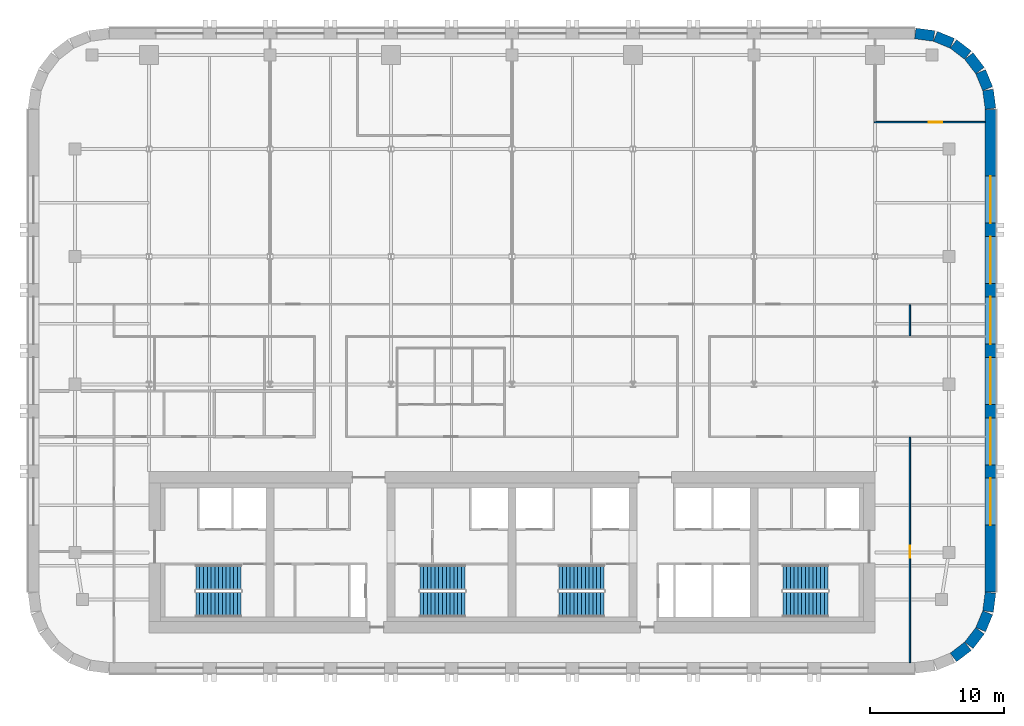
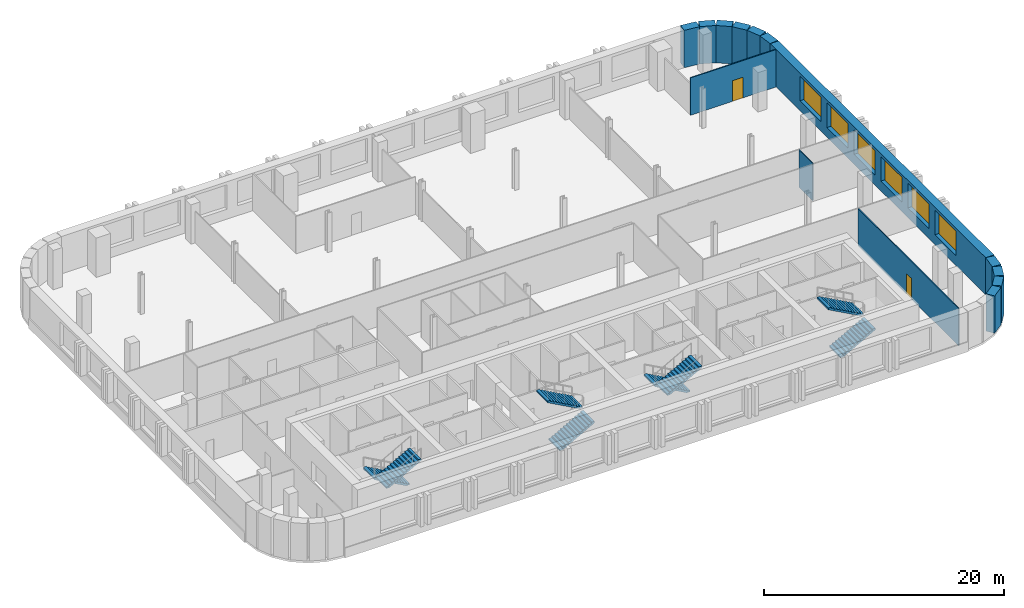
# One storey, part 8 of 10: 14 walls, 8 stair flights, 6 windows, 2 doors, 8 openings, 4 elements without a shape of their own.
"""IFC4 building model written with IfcOpenShell, lengths in metres."""

from ifc_helpers import new_model, si_unit, direction, frame, frame_2d, origin, place, context, subcontext, project, spatial, polyline, rectangle, outline, extrude, material, layer, layer_set, type_object, element, fill, aggregate, save


model = new_model("IFC4")

# Units and contexts
model_context = context("Model", 3, precision=1e-05, world=origin(), true_north=direction((0.0, 1.0)))
body_context = subcontext(model_context, "Body", "Model", "MODEL_VIEW")
ifc_project = project(units=[si_unit("LENGTHUNIT", "METRE"), si_unit("AREAUNIT", "SQUARE_METRE"), si_unit("VOLUMEUNIT", "CUBIC_METRE"), si_unit("PLANEANGLEUNIT", "RADIAN"), si_unit("MASSUNIT", "GRAM", prefix="KILO")], contexts=[model_context])

# Site, building, storey
site_placement = place(None, origin())
site = spatial("IfcSite", under=ifc_project, at=site_placement, CompositionType="ELEMENT")
building_placement = place(site_placement, origin())
building = spatial("IfcBuilding", under=site, at=building_placement, Name="Zellij Exchange Tower", CompositionType="ELEMENT")
storey_placement = place(building_placement, frame((0.0, 0.0, 192.5)))
storey = spatial("IfcBuildingStorey", under=building, at=storey_placement, Name="L44", CompositionType="ELEMENT", Elevation=192.5)

# Walls
ifc_material_1 = material(Name="Precast concrete C40/50", Category="concrete")
ifc_layer_1 = layer(ifc_material_1, 0.800048828125)
ifc_layer_set_1 = layer_set([ifc_layer_1], Name="Precast concrete C40/50")
wall_type_1 = type_object("IfcWallType", Name="ENV-EW1 Precast stone-piered wall 800", PredefinedType="SOLIDWALL", material=ifc_layer_set_1)
for number, where, z_axis, x_axis, name in (
    (1, (32.840087890625, -15.814697265625, 0.0), (0.0, 0.0, 1.0), (0.793272915452, 0.608866226366, 0.0), "fac.L44.03"),
    (2, (33.9892578125, -14.91552734375, 0.0), (0.0, 0.0, 1.0), (0.608866226366, 0.793272915452, 0.0), "fac.L44.04"),
):
    element("IfcWall", number, at=place(storey_placement, frame(where, z_axis=z_axis, x_axis=x_axis)), inside=storey, type_object=wall_type_1, Name=name, PredefinedType="SOLIDWALL", context=body_context, shape_type="SweptSolid", body=[
        extrude(rectangle(XDim=1.355712890625, YDim=0.800048828125, at=frame_2d((0.677734375, 0.0))), origin(), (0.0, 0.0, 1.0), 3.800048828125),
    ])
wall_1_placement = place(storey_placement, frame((34.866943359375, -13.74951171875, 0.0), z_axis=(0.0, 0.0, 1.0), x_axis=(0.38276009378, 0.923847774587, 0.0)))
element("IfcWall", 3, at=wall_1_placement, inside=storey, type_object=wall_type_1, Name="fac.L44.05", PredefinedType="SOLIDWALL", context=body_context, shape_type="SweptSolid", body=[
    extrude(rectangle(XDim=1.35546875, YDim=0.800048828125, at=frame_2d((0.677734375, 0.0))), origin(), (0.0, 0.0, 1.0), 3.800048828125),
])
wall_2_placement = place(storey_placement, frame((35.412841796875, -12.396240234375, 0.0), z_axis=(0.0, 0.0, 1.0), x_axis=(0.130517283865, 0.99144603414, 0.0)))
element("IfcWall", 4, at=wall_2_placement, inside=storey, type_object=wall_type_1, Name="fac.L44.06", PredefinedType="SOLIDWALL", context=body_context, shape_type="SweptSolid", body=[
    extrude(rectangle(XDim=1.408447265625, YDim=0.800048828125, at=frame_2d((0.7041015625, 0.0))), origin(), (0.0, 0.0, 1.0), 3.800048828125),
])

# Wall, openings, windows
wall_3_placement = place(storey_placement, frame((35.60009765625, -10.947509765625, 0.0), z_axis=(0.0, 0.0, 1.0), x_axis=(0.0, 1.0, 0.0)))
wall_3 = element("IfcWall", 5, at=wall_3_placement, inside=storey, type_object=wall_type_1, Name="fac.L44.07", PredefinedType="SOLIDWALL", context=body_context, shape_type="SweptSolid", body=[
    extrude(rectangle(XDim=35.89501953125, YDim=0.800048828125, at=frame_2d((17.947509765625, 0.0))), origin(), (0.0, 0.0, 1.0), 3.800048828125),
])
opening_1_placement = place(wall_3_placement, frame((4.9638671875, 0.0, 1.0)))
opening_1 = element("IfcOpeningElement", 6, at=opening_1_placement, cuts=wall_3, Name="Opening FZ3.13", PredefinedType="OPENING", context=body_context, shape_type="SweptSolid", body=[
    extrude(rectangle(XDim=3.5, YDim=2.5, at=frame_2d((1.75, 1.25))), frame((0.0, 0.412109375, 0.0), z_axis=(0.0, -1.0, 0.0), x_axis=(1.0, 0.0, 0.0)), (0.0, 0.0, 1.0), 0.823974609375),
])
opening_2_placement = place(wall_3_placement, frame((9.45751953125, 0.0, 1.0)))
opening_2 = element("IfcOpeningElement", 7, at=opening_2_placement, cuts=wall_3, Name="Opening FZ3.14", PredefinedType="OPENING", context=body_context, shape_type="SweptSolid", body=[
    extrude(rectangle(XDim=3.5, YDim=2.5, at=frame_2d((1.75, 1.25))), frame((0.0, 0.412109375, 0.0), z_axis=(0.0, -1.0, 0.0), x_axis=(1.0, 0.0, 0.0)), (0.0, 0.0, 1.0), 0.823974609375),
])
opening_3_placement = place(wall_3_placement, frame((13.950927734375, 0.0, 1.0)))
opening_3 = element("IfcOpeningElement", 8, at=opening_3_placement, cuts=wall_3, Name="Opening FZ3.15", PredefinedType="OPENING", context=body_context, shape_type="SweptSolid", body=[
    extrude(rectangle(XDim=3.5, YDim=2.5, at=frame_2d((1.75, 1.25))), frame((0.0, 0.412109375, 0.0), z_axis=(0.0, -1.0, 0.0), x_axis=(1.0, 0.0, 0.0)), (0.0, 0.0, 1.0), 0.823974609375),
])
opening_4_placement = place(wall_3_placement, frame((18.4443359375, 0.0, 1.0)))
opening_4 = element("IfcOpeningElement", 9, at=opening_4_placement, cuts=wall_3, Name="Opening FZ3.16", PredefinedType="OPENING", context=body_context, shape_type="SweptSolid", body=[
    extrude(rectangle(XDim=3.5, YDim=2.5, at=frame_2d((1.75, 1.25))), frame((0.0, 0.412109375, 0.0), z_axis=(0.0, -1.0, 0.0), x_axis=(1.0, 0.0, 0.0)), (0.0, 0.0, 1.0), 0.823974609375),
])
opening_5_placement = place(wall_3_placement, frame((22.937744140625, 0.0, 1.0)))
opening_5 = element("IfcOpeningElement", 10, at=opening_5_placement, cuts=wall_3, Name="Opening FZ3.17", PredefinedType="OPENING", context=body_context, shape_type="SweptSolid", body=[
    extrude(rectangle(XDim=3.5, YDim=2.5, at=frame_2d((1.75, 1.25))), frame((0.0, 0.412109375, 0.0), z_axis=(0.0, -1.0, 0.0), x_axis=(1.0, 0.0, 0.0)), (0.0, 0.0, 1.0), 0.823974609375),
])
opening_6_placement = place(wall_3_placement, frame((27.43115234375, 0.0, 1.0)))
opening_6 = element("IfcOpeningElement", 11, at=opening_6_placement, cuts=wall_3, Name="Opening FZ3.18", PredefinedType="OPENING", context=body_context, shape_type="SweptSolid", body=[
    extrude(rectangle(XDim=3.5, YDim=2.5, at=frame_2d((1.75, 1.25))), frame((0.0, 0.412109375, 0.0), z_axis=(0.0, -1.0, 0.0), x_axis=(1.0, 0.0, 0.0)), (0.0, 0.0, 1.0), 0.823974609375),
])
ifc_material_2 = material(Name="Aluminium frame with insulating glass", Category="aluminium")
window_type = type_object("IfcWindowType", Name="ENV-W1 Window 3500x2500", PartitioningType="SINGLE_PANEL", PredefinedType="WINDOW", material=ifc_material_2)
window_1_placement = place(opening_1_placement, origin())
window_1 = element("IfcWindow", 12, at=window_1_placement, inside=storey, type_object=window_type, Name="Window FZ3.13", OverallHeight=2.5, OverallWidth=3.5, PartitioningType="SINGLE_PANEL", PredefinedType="WINDOW", context=body_context, shape_type="SweptSolid", body=[
    extrude(rectangle(XDim=3.5, YDim=2.5, at=frame_2d((1.75, 1.25))), frame((0.0, 0.030029296875, 0.0), z_axis=(0.0, -1.0, 0.0), x_axis=(1.0, 0.0, 0.0)), (0.0, 0.0, 1.0), 0.06005859375),
])
fill(opening_1, window_1)
window_2_placement = place(opening_2_placement, origin())
window_2 = element("IfcWindow", 13, at=window_2_placement, inside=storey, type_object=window_type, Name="Window FZ3.14", OverallHeight=2.5, OverallWidth=3.5, PartitioningType="SINGLE_PANEL", PredefinedType="WINDOW", context=body_context, shape_type="SweptSolid", body=[
    extrude(rectangle(XDim=3.5, YDim=2.5, at=frame_2d((1.75, 1.25))), frame((0.0, 0.030029296875, 0.0), z_axis=(0.0, -1.0, 0.0), x_axis=(1.0, 0.0, 0.0)), (0.0, 0.0, 1.0), 0.06005859375),
])
fill(opening_2, window_2)
window_3_placement = place(opening_3_placement, origin())
window_3 = element("IfcWindow", 14, at=window_3_placement, inside=storey, type_object=window_type, Name="Window FZ3.15", OverallHeight=2.5, OverallWidth=3.5, PartitioningType="SINGLE_PANEL", PredefinedType="WINDOW", context=body_context, shape_type="SweptSolid", body=[
    extrude(rectangle(XDim=3.5, YDim=2.5, at=frame_2d((1.75, 1.25))), frame((0.0, 0.030029296875, 0.0), z_axis=(0.0, -1.0, 0.0), x_axis=(1.0, 0.0, 0.0)), (0.0, 0.0, 1.0), 0.06005859375),
])
fill(opening_3, window_3)
window_4_placement = place(opening_4_placement, origin())
window_4 = element("IfcWindow", 15, at=window_4_placement, inside=storey, type_object=window_type, Name="Window FZ3.16", OverallHeight=2.5, OverallWidth=3.5, PartitioningType="SINGLE_PANEL", PredefinedType="WINDOW", context=body_context, shape_type="SweptSolid", body=[
    extrude(rectangle(XDim=3.5, YDim=2.5, at=frame_2d((1.75, 1.25))), frame((0.0, 0.030029296875, 0.0), z_axis=(0.0, -1.0, 0.0), x_axis=(1.0, 0.0, 0.0)), (0.0, 0.0, 1.0), 0.06005859375),
])
fill(opening_4, window_4)
window_5_placement = place(opening_5_placement, origin())
window_5 = element("IfcWindow", 16, at=window_5_placement, inside=storey, type_object=window_type, Name="Window FZ3.17", OverallHeight=2.5, OverallWidth=3.5, PartitioningType="SINGLE_PANEL", PredefinedType="WINDOW", context=body_context, shape_type="SweptSolid", body=[
    extrude(rectangle(XDim=3.5, YDim=2.5, at=frame_2d((1.75, 1.25))), frame((0.0, 0.030029296875, 0.0), z_axis=(0.0, -1.0, 0.0), x_axis=(1.0, 0.0, 0.0)), (0.0, 0.0, 1.0), 0.06005859375),
])
fill(opening_5, window_5)
window_6_placement = place(opening_6_placement, origin())
window_6 = element("IfcWindow", 17, at=window_6_placement, inside=storey, type_object=window_type, Name="Window FZ3.18", OverallHeight=2.5, OverallWidth=3.5, PartitioningType="SINGLE_PANEL", PredefinedType="WINDOW", context=body_context, shape_type="SweptSolid", body=[
    extrude(rectangle(XDim=3.5, YDim=2.5, at=frame_2d((1.75, 1.25))), frame((0.0, 0.030029296875, 0.0), z_axis=(0.0, -1.0, 0.0), x_axis=(1.0, 0.0, 0.0)), (0.0, 0.0, 1.0), 0.06005859375),
])
fill(opening_6, window_6)

# Walls
wall_4_placement = place(storey_placement, frame((35.5966796875, 24.999755859375, 0.0), z_axis=(0.0, 0.0, 1.0), x_axis=(-0.130517283865, 0.99144603414, 0.0)))
element("IfcWall", 18, at=wall_4_placement, inside=storey, type_object=wall_type_1, Name="fac.L44.08", PredefinedType="SOLIDWALL", context=body_context, shape_type="SweptSolid", body=[
    extrude(rectangle(XDim=1.408447265625, YDim=0.800048828125, at=frame_2d((0.7041015625, 0.0))), origin(), (0.0, 0.0, 1.0), 3.800048828125),
])
wall_5_placement = place(storey_placement, frame((35.3857421875, 26.497314453125, 0.0), z_axis=(0.0, 0.0, 1.0), x_axis=(-0.38276009378, 0.923847774587, 0.0)))
element("IfcWall", 19, at=wall_5_placement, inside=storey, type_object=wall_type_1, Name="fac.L44.09", PredefinedType="SOLIDWALL", context=body_context, shape_type="SweptSolid", body=[
    extrude(rectangle(XDim=1.35546875, YDim=0.800048828125, at=frame_2d((0.677734375, 0.0))), origin(), (0.0, 0.0, 1.0), 3.800048828125),
])
for number, where, z_axis, x_axis, name in (
    (20, (34.814697265625, 27.840087890625, 0.0), (0.0, 0.0, 1.0), (-0.608866226366, 0.793272915452, 0.0), "fac.L44.10"),
    (21, (33.91552734375, 28.9892578125, 0.0), (0.0, 0.0, 1.0), (-0.793272915452, 0.608866226366, 0.0), "fac.L44.11"),
):
    element("IfcWall", number, at=place(storey_placement, frame(where, z_axis=z_axis, x_axis=x_axis)), inside=storey, type_object=wall_type_1, Name=name, PredefinedType="SOLIDWALL", context=body_context, shape_type="SweptSolid", body=[
        extrude(rectangle(XDim=1.355712890625, YDim=0.800048828125, at=frame_2d((0.677734375, 0.0))), origin(), (0.0, 0.0, 1.0), 3.800048828125),
    ])
wall_6_placement = place(storey_placement, frame((32.74951171875, 29.866943359375, 0.0), z_axis=(0.0, 0.0, 1.0), x_axis=(-0.923847774587, 0.38276009378, 0.0)))
element("IfcWall", 22, at=wall_6_placement, inside=storey, type_object=wall_type_1, Name="fac.L44.12", PredefinedType="SOLIDWALL", context=body_context, shape_type="SweptSolid", body=[
    extrude(rectangle(XDim=1.35546875, YDim=0.800048828125, at=frame_2d((0.677734375, 0.0))), origin(), (0.0, 0.0, 1.0), 3.800048828125),
])
wall_7_placement = place(storey_placement, frame((31.396240234375, 30.412841796875, 0.0), z_axis=(0.0, 0.0, 1.0), x_axis=(-0.99144603414, 0.130517283865, 0.0)))
element("IfcWall", 23, at=wall_7_placement, inside=storey, type_object=wall_type_1, Name="fac.L44.13", PredefinedType="SOLIDWALL", context=body_context, shape_type="SweptSolid", body=[
    extrude(rectangle(XDim=1.408447265625, YDim=0.800048828125, at=frame_2d((0.7041015625, 0.0))), origin(), (0.0, 0.0, 1.0), 3.800048828125),
])

# Wall, opening, door
ifc_material_3 = material(Name="Gypsum board partition on steel studs", Category="steel")
ifc_layer_2 = layer(ifc_material_3, 0.10009765625)
ifc_layer_set_2 = layer_set([ifc_layer_2], Name="Gypsum board partition on steel studs")
wall_type_2 = type_object("IfcWallType", Name="FIT-PARTITION-100", PredefinedType="PARTITIONING", material=ifc_layer_set_2)
wall_8_placement = place(storey_placement, frame((29.60009765625, -16.199951171875, 0.0), z_axis=(0.0, 0.0, 1.0), x_axis=(0.0, 1.0, 0.0)))
wall_8 = element("IfcWall", 24, at=wall_8_placement, inside=storey, type_object=wall_type_2, Name="FIT-PARTITION-100 002", PredefinedType="PARTITIONING", context=body_context, shape_type="SweptSolid", body=[
    extrude(rectangle(XDim=16.75, YDim=0.10009765625, at=frame_2d((8.375, 0.0))), origin(), (0.0, 0.0, 1.0), 3.800048828125),
])
opening_7_placement = place(wall_8_placement, frame((7.800048828125, 0.0, 0.0)))
opening_7 = element("IfcOpeningElement", 25, at=opening_7_placement, cuts=wall_8, Name="Opening O3C.02", PredefinedType="OPENING", context=body_context, shape_type="SweptSolid", body=[
    extrude(rectangle(XDim=0.89990234375, YDim=2.10009765625, at=frame_2d((0.449951171875, 1.050048828125))), frame((0.0, 0.06201171875, 0.0), z_axis=(0.0, -1.0, 0.0), x_axis=(1.0, 0.0, 0.0)), (0.0, 0.0, 1.0), 0.1240234375),
])
ifc_material_4 = material(Name="Timber door set", Category="wood")
door_type_1 = type_object("IfcDoorType", Name="FIT-D1-ROOM-900X2100", OperationType="SINGLE_SWING_LEFT", PredefinedType="DOOR", material=ifc_material_4)
door_1_placement = place(opening_7_placement, origin())
door_1 = element("IfcDoor", 26, at=door_1_placement, inside=storey, type_object=door_type_1, Name="Door O3C.02", OperationType="SINGLE_SWING_LEFT", OverallHeight=2.10009765625, OverallWidth=0.89990234375, PredefinedType="DOOR", context=body_context, shape_type="SweptSolid", body=[
    extrude(rectangle(XDim=0.89990234375, YDim=2.10009765625, at=frame_2d((0.449951171875, 1.050048828125))), frame((0.0, 0.02490234375, 0.0), z_axis=(0.0, -1.0, 0.0), x_axis=(1.0, 0.0, 0.0)), (0.0, 0.0, 1.0), 0.050048828125),
])
fill(opening_7, door_1)

# Wall
wall_9_placement = place(storey_placement, frame((29.60009765625, 8.10009765625, 0.0), z_axis=(0.0, 0.0, 1.0), x_axis=(0.0, 1.0, 0.0)))
element("IfcWall", 27, at=wall_9_placement, inside=storey, type_object=wall_type_2, Name="FIT-PARTITION-100 035", PredefinedType="PARTITIONING", context=body_context, shape_type="SweptSolid", body=[
    extrude(rectangle(XDim=2.2998046875, YDim=0.10009765625, at=frame_2d((1.14990234375, 0.0))), origin(), (0.0, 0.0, 1.0), 3.800048828125),
])

# Wall, opening, door
wall_10_placement = place(storey_placement, frame((26.949951171875, 24.0, 0.0), z_axis=(0.0, 0.0, 1.0), x_axis=(1.0, 0.0, 0.0)))
wall_10 = element("IfcWall", 28, at=wall_10_placement, inside=storey, type_object=wall_type_2, Name="FIT-PARTITION-100 051", PredefinedType="PARTITIONING", context=body_context, shape_type="SweptSolid", body=[
    extrude(rectangle(XDim=8.25, YDim=0.10009765625, at=frame_2d((4.125, 0.0))), origin(), (0.0, 0.0, 1.0), 3.800048828125),
])
opening_8_placement = place(wall_10_placement, frame((4.050048828125, 0.0, 0.0)))
opening_8 = element("IfcOpeningElement", 29, at=opening_8_placement, cuts=wall_10, Name="Opening O3C.21", PredefinedType="OPENING", context=body_context, shape_type="SweptSolid", body=[
    extrude(rectangle(XDim=1.0, YDim=2.10009765625, at=frame_2d((0.5, 1.050048828125))), frame((0.0, 0.06201171875, 0.0), z_axis=(0.0, -1.0, 0.0), x_axis=(1.0, 0.0, 0.0)), (0.0, 0.0, 1.0), 0.1240234375),
])
door_type_2 = type_object("IfcDoorType", Name="FIT-D2-WIDE-1000X2100", OperationType="SINGLE_SWING_LEFT", PredefinedType="DOOR", material=ifc_material_4)
door_2_placement = place(opening_8_placement, origin())
door_2 = element("IfcDoor", 30, at=door_2_placement, inside=storey, type_object=door_type_2, Name="Door O3C.21", OperationType="SINGLE_SWING_LEFT", OverallHeight=2.10009765625, OverallWidth=1.0, PredefinedType="DOOR", context=body_context, shape_type="SweptSolid", body=[
    extrude(rectangle(XDim=1.0, YDim=2.10009765625, at=frame_2d((0.5, 1.050048828125))), frame((0.0, 0.02490234375, 0.0), z_axis=(0.0, -1.0, 0.0), x_axis=(1.0, 0.0, 0.0)), (0.0, 0.0, 1.0), 0.050048828125),
])
fill(opening_8, door_2)

# Stair, stair flights
ifc_material_5 = material(Name="Concrete C40/50", Category="concrete")
stair_type = type_object("IfcStairType", Name="CORE-ST exit stair 1850 wide", PredefinedType="HALF_TURN_STAIR", material=ifc_material_5)
stair_1_placement = place(storey_placement, origin())
stair_1 = element("IfcStair", 31, at=stair_1_placement, inside=storey, type_object=stair_type, Name="L44 exit stair ST1", PredefinedType="HALF_TURN_STAIR")
stair_flight_type = type_object("IfcStairFlightType", Name="CORE-SF flight 1850 riser 153.8 going 280", PredefinedType="STRAIGHT", material=ifc_material_5)
stair_flight_1_placement = place(storey_placement, frame((-20.14990234375, -9.875, 0.0), z_axis=(0.0, 0.0, 1.0), x_axis=(-1.0, 0.0, 0.0)))
stair_flight_1 = element("IfcStairFlight", 32, at=stair_flight_1_placement, type_object=stair_flight_type, Name="ST1 flight 1", NumberOfRisers=13, NumberOfTreads=12, PredefinedType="STRAIGHT", RiserHeight=0.153846154, TreadLength=0.28, context=body_context, shape_type="SweptSolid", body=[
    extrude(outline(polyline([(0.0, 0.0), (0.0, 0.15380859375), (0.280029296875, 0.15380859375), (0.280029296875, 0.3076171875), (0.56005859375, 0.3076171875), (0.56005859375, 0.46142578125), (0.840087890625, 0.46142578125), (0.840087890625, 0.615478515625), (1.1201171875, 0.615478515625), (1.1201171875, 0.769287109375), (1.39990234375, 0.769287109375), (1.39990234375, 0.923095703125), (1.679931640625, 0.923095703125), (1.679931640625, 1.076904296875), (1.9599609375, 1.076904296875), (1.9599609375, 1.230712890625), (2.239990234375, 1.230712890625), (2.239990234375, 1.384521484375), (2.52001953125, 1.384521484375), (2.52001953125, 1.53857421875), (2.800048828125, 1.53857421875), (2.800048828125, 1.6923828125), (3.080078125, 1.6923828125), (3.080078125, 1.84619140625), (3.360107421875, 1.84619140625), (3.360107421875, 2.0), (3.360107421875, 1.675048828125), (0.311279296875, 0.0), (0.0, 0.0)])), frame((0.0, 0.925048828125, 0.0), z_axis=(0.0, -1.0, 0.0), x_axis=(1.0, 0.0, 0.0)), (0.0, 0.0, 1.0), 1.85009765625),
])
stair_flight_2_placement = place(storey_placement, frame((-23.510009765625, -11.875, 2.0), z_axis=(0.0, 0.0, 1.0), x_axis=(1.0, 0.0, 0.0)))
stair_flight_2 = element("IfcStairFlight", 33, at=stair_flight_2_placement, type_object=stair_flight_type, Name="ST1 flight 2", NumberOfRisers=13, NumberOfTreads=12, PredefinedType="STRAIGHT", RiserHeight=0.153846154, TreadLength=0.28, context=body_context, shape_type="SweptSolid", body=[
    extrude(outline(polyline([(0.0, 0.0), (0.0, 0.15380859375), (0.280029296875, 0.15380859375), (0.280029296875, 0.3076171875), (0.56005859375, 0.3076171875), (0.56005859375, 0.46142578125), (0.840087890625, 0.46142578125), (0.840087890625, 0.615478515625), (1.1201171875, 0.615478515625), (1.1201171875, 0.769287109375), (1.39990234375, 0.769287109375), (1.39990234375, 0.923095703125), (1.679931640625, 0.923095703125), (1.679931640625, 1.076904296875), (1.9599609375, 1.076904296875), (1.9599609375, 1.230712890625), (2.239990234375, 1.230712890625), (2.239990234375, 1.384521484375), (2.52001953125, 1.384521484375), (2.52001953125, 1.53857421875), (2.800048828125, 1.53857421875), (2.800048828125, 1.6923828125), (3.080078125, 1.6923828125), (3.080078125, 1.84619140625), (3.360107421875, 1.84619140625), (3.360107421875, 2.0), (3.360107421875, 1.675048828125), (0.311279296875, 0.0), (0.0, 0.0)])), frame((0.0, 0.925048828125, 0.0), z_axis=(0.0, -1.0, 0.0), x_axis=(1.0, 0.0, 0.0)), (0.0, 0.0, 1.0), 1.85009765625),
])
aggregate(stair_1, [stair_flight_1, stair_flight_2])

stair_2_placement = place(storey_placement, origin())
stair_2 = element("IfcStair", 34, at=stair_2_placement, inside=storey, type_object=stair_type, Name="L44 exit stair ST2", PredefinedType="HALF_TURN_STAIR")
stair_flight_3_placement = place(storey_placement, frame((-6.85009765625, -11.875, 0.0), z_axis=(0.0, 0.0, 1.0), x_axis=(1.0, 0.0, 0.0)))
stair_flight_3 = element("IfcStairFlight", 35, at=stair_flight_3_placement, type_object=stair_flight_type, Name="ST2 flight 1", NumberOfRisers=13, NumberOfTreads=12, PredefinedType="STRAIGHT", RiserHeight=0.153846154, TreadLength=0.28, context=body_context, shape_type="SweptSolid", body=[
    extrude(outline(polyline([(0.0, 0.0), (0.0, 0.15380859375), (0.280029296875, 0.15380859375), (0.280029296875, 0.3076171875), (0.56005859375, 0.3076171875), (0.56005859375, 0.46142578125), (0.840087890625, 0.46142578125), (0.840087890625, 0.615478515625), (1.1201171875, 0.615478515625), (1.1201171875, 0.769287109375), (1.39990234375, 0.769287109375), (1.39990234375, 0.923095703125), (1.679931640625, 0.923095703125), (1.679931640625, 1.076904296875), (1.9599609375, 1.076904296875), (1.9599609375, 1.230712890625), (2.239990234375, 1.230712890625), (2.239990234375, 1.384521484375), (2.52001953125, 1.384521484375), (2.52001953125, 1.53857421875), (2.800048828125, 1.53857421875), (2.800048828125, 1.6923828125), (3.080078125, 1.6923828125), (3.080078125, 1.84619140625), (3.360107421875, 1.84619140625), (3.360107421875, 2.0), (3.360107421875, 1.675048828125), (0.311279296875, 0.0), (0.0, 0.0)])), frame((0.0, 0.925048828125, 0.0), z_axis=(0.0, -1.0, 0.0), x_axis=(1.0, 0.0, 0.0)), (0.0, 0.0, 1.0), 1.85009765625),
])
stair_flight_4_placement = place(storey_placement, frame((-3.489990234375, -9.875, 2.0), z_axis=(0.0, 0.0, 1.0), x_axis=(-1.0, 0.0, 0.0)))
stair_flight_4 = element("IfcStairFlight", 36, at=stair_flight_4_placement, type_object=stair_flight_type, Name="ST2 flight 2", NumberOfRisers=13, NumberOfTreads=12, PredefinedType="STRAIGHT", RiserHeight=0.153846154, TreadLength=0.28, context=body_context, shape_type="SweptSolid", body=[
    extrude(outline(polyline([(0.0, 0.0), (0.0, 0.15380859375), (0.280029296875, 0.15380859375), (0.280029296875, 0.3076171875), (0.56005859375, 0.3076171875), (0.56005859375, 0.46142578125), (0.840087890625, 0.46142578125), (0.840087890625, 0.615478515625), (1.1201171875, 0.615478515625), (1.1201171875, 0.769287109375), (1.39990234375, 0.769287109375), (1.39990234375, 0.923095703125), (1.679931640625, 0.923095703125), (1.679931640625, 1.076904296875), (1.9599609375, 1.076904296875), (1.9599609375, 1.230712890625), (2.239990234375, 1.230712890625), (2.239990234375, 1.384521484375), (2.52001953125, 1.384521484375), (2.52001953125, 1.53857421875), (2.800048828125, 1.53857421875), (2.800048828125, 1.6923828125), (3.080078125, 1.6923828125), (3.080078125, 1.84619140625), (3.360107421875, 1.84619140625), (3.360107421875, 2.0), (3.360107421875, 1.675048828125), (0.311279296875, 0.0), (0.0, 0.0)])), frame((0.0, 0.925048828125, 0.0), z_axis=(0.0, -1.0, 0.0), x_axis=(1.0, 0.0, 0.0)), (0.0, 0.0, 1.0), 1.85009765625),
])
aggregate(stair_2, [stair_flight_3, stair_flight_4])

stair_3_placement = place(storey_placement, origin())
stair_3 = element("IfcStair", 37, at=stair_3_placement, inside=storey, type_object=stair_type, Name="L44 exit stair ST3", PredefinedType="HALF_TURN_STAIR")
stair_flight_5_placement = place(storey_placement, frame((6.85009765625, -9.875, 0.0), z_axis=(0.0, 0.0, 1.0), x_axis=(-1.0, 0.0, 0.0)))
stair_flight_5 = element("IfcStairFlight", 38, at=stair_flight_5_placement, type_object=stair_flight_type, Name="ST3 flight 1", NumberOfRisers=13, NumberOfTreads=12, PredefinedType="STRAIGHT", RiserHeight=0.153846154, TreadLength=0.28, context=body_context, shape_type="SweptSolid", body=[
    extrude(outline(polyline([(0.0, 0.0), (0.0, 0.15380859375), (0.280029296875, 0.15380859375), (0.280029296875, 0.3076171875), (0.56005859375, 0.3076171875), (0.56005859375, 0.46142578125), (0.840087890625, 0.46142578125), (0.840087890625, 0.615478515625), (1.1201171875, 0.615478515625), (1.1201171875, 0.769287109375), (1.39990234375, 0.769287109375), (1.39990234375, 0.923095703125), (1.679931640625, 0.923095703125), (1.679931640625, 1.076904296875), (1.9599609375, 1.076904296875), (1.9599609375, 1.230712890625), (2.239990234375, 1.230712890625), (2.239990234375, 1.384521484375), (2.52001953125, 1.384521484375), (2.52001953125, 1.53857421875), (2.800048828125, 1.53857421875), (2.800048828125, 1.6923828125), (3.080078125, 1.6923828125), (3.080078125, 1.84619140625), (3.360107421875, 1.84619140625), (3.360107421875, 2.0), (3.360107421875, 1.675048828125), (0.311279296875, 0.0), (0.0, 0.0)])), frame((0.0, 0.925048828125, 0.0), z_axis=(0.0, -1.0, 0.0), x_axis=(1.0, 0.0, 0.0)), (0.0, 0.0, 1.0), 1.85009765625),
])
stair_flight_6_placement = place(storey_placement, frame((3.489990234375, -11.875, 2.0), z_axis=(0.0, 0.0, 1.0), x_axis=(1.0, 0.0, 0.0)))
stair_flight_6 = element("IfcStairFlight", 39, at=stair_flight_6_placement, type_object=stair_flight_type, Name="ST3 flight 2", NumberOfRisers=13, NumberOfTreads=12, PredefinedType="STRAIGHT", RiserHeight=0.153846154, TreadLength=0.28, context=body_context, shape_type="SweptSolid", body=[
    extrude(outline(polyline([(0.0, 0.0), (0.0, 0.15380859375), (0.280029296875, 0.15380859375), (0.280029296875, 0.3076171875), (0.56005859375, 0.3076171875), (0.56005859375, 0.46142578125), (0.840087890625, 0.46142578125), (0.840087890625, 0.615478515625), (1.1201171875, 0.615478515625), (1.1201171875, 0.769287109375), (1.39990234375, 0.769287109375), (1.39990234375, 0.923095703125), (1.679931640625, 0.923095703125), (1.679931640625, 1.076904296875), (1.9599609375, 1.076904296875), (1.9599609375, 1.230712890625), (2.239990234375, 1.230712890625), (2.239990234375, 1.384521484375), (2.52001953125, 1.384521484375), (2.52001953125, 1.53857421875), (2.800048828125, 1.53857421875), (2.800048828125, 1.6923828125), (3.080078125, 1.6923828125), (3.080078125, 1.84619140625), (3.360107421875, 1.84619140625), (3.360107421875, 2.0), (3.360107421875, 1.675048828125), (0.311279296875, 0.0), (0.0, 0.0)])), frame((0.0, 0.925048828125, 0.0), z_axis=(0.0, -1.0, 0.0), x_axis=(1.0, 0.0, 0.0)), (0.0, 0.0, 1.0), 1.85009765625),
])
aggregate(stair_3, [stair_flight_5, stair_flight_6])

stair_4_placement = place(storey_placement, origin())
stair_4 = element("IfcStair", 40, at=stair_4_placement, inside=storey, type_object=stair_type, Name="L44 exit stair ST4", PredefinedType="HALF_TURN_STAIR")
stair_flight_7_placement = place(storey_placement, frame((20.14990234375, -11.875, 0.0), z_axis=(0.0, 0.0, 1.0), x_axis=(1.0, 0.0, 0.0)))
stair_flight_7 = element("IfcStairFlight", 41, at=stair_flight_7_placement, type_object=stair_flight_type, Name="ST4 flight 1", NumberOfRisers=13, NumberOfTreads=12, PredefinedType="STRAIGHT", RiserHeight=0.153846154, TreadLength=0.28, context=body_context, shape_type="SweptSolid", body=[
    extrude(outline(polyline([(0.0, 0.0), (0.0, 0.15380859375), (0.280029296875, 0.15380859375), (0.280029296875, 0.3076171875), (0.56005859375, 0.3076171875), (0.56005859375, 0.46142578125), (0.840087890625, 0.46142578125), (0.840087890625, 0.615478515625), (1.1201171875, 0.615478515625), (1.1201171875, 0.769287109375), (1.39990234375, 0.769287109375), (1.39990234375, 0.923095703125), (1.679931640625, 0.923095703125), (1.679931640625, 1.076904296875), (1.9599609375, 1.076904296875), (1.9599609375, 1.230712890625), (2.239990234375, 1.230712890625), (2.239990234375, 1.384521484375), (2.52001953125, 1.384521484375), (2.52001953125, 1.53857421875), (2.800048828125, 1.53857421875), (2.800048828125, 1.6923828125), (3.080078125, 1.6923828125), (3.080078125, 1.84619140625), (3.360107421875, 1.84619140625), (3.360107421875, 2.0), (3.360107421875, 1.675048828125), (0.311279296875, 0.0), (0.0, 0.0)])), frame((0.0, 0.925048828125, 0.0), z_axis=(0.0, -1.0, 0.0), x_axis=(1.0, 0.0, 0.0)), (0.0, 0.0, 1.0), 1.85009765625),
])
stair_flight_8_placement = place(storey_placement, frame((23.510009765625, -9.875, 2.0), z_axis=(0.0, 0.0, 1.0), x_axis=(-1.0, 0.0, 0.0)))
stair_flight_8 = element("IfcStairFlight", 42, at=stair_flight_8_placement, type_object=stair_flight_type, Name="ST4 flight 2", NumberOfRisers=13, NumberOfTreads=12, PredefinedType="STRAIGHT", RiserHeight=0.153846154, TreadLength=0.28, context=body_context, shape_type="SweptSolid", body=[
    extrude(outline(polyline([(0.0, 0.0), (0.0, 0.15380859375), (0.280029296875, 0.15380859375), (0.280029296875, 0.3076171875), (0.56005859375, 0.3076171875), (0.56005859375, 0.46142578125), (0.840087890625, 0.46142578125), (0.840087890625, 0.615478515625), (1.1201171875, 0.615478515625), (1.1201171875, 0.769287109375), (1.39990234375, 0.769287109375), (1.39990234375, 0.923095703125), (1.679931640625, 0.923095703125), (1.679931640625, 1.076904296875), (1.9599609375, 1.076904296875), (1.9599609375, 1.230712890625), (2.239990234375, 1.230712890625), (2.239990234375, 1.384521484375), (2.52001953125, 1.384521484375), (2.52001953125, 1.53857421875), (2.800048828125, 1.53857421875), (2.800048828125, 1.6923828125), (3.080078125, 1.6923828125), (3.080078125, 1.84619140625), (3.360107421875, 1.84619140625), (3.360107421875, 2.0), (3.360107421875, 1.675048828125), (0.311279296875, 0.0), (0.0, 0.0)])), frame((0.0, 0.925048828125, 0.0), z_axis=(0.0, -1.0, 0.0), x_axis=(1.0, 0.0, 0.0)), (0.0, 0.0, 1.0), 1.85009765625),
])
aggregate(stair_4, [stair_flight_7, stair_flight_8])

save(model, "model.ifc")
